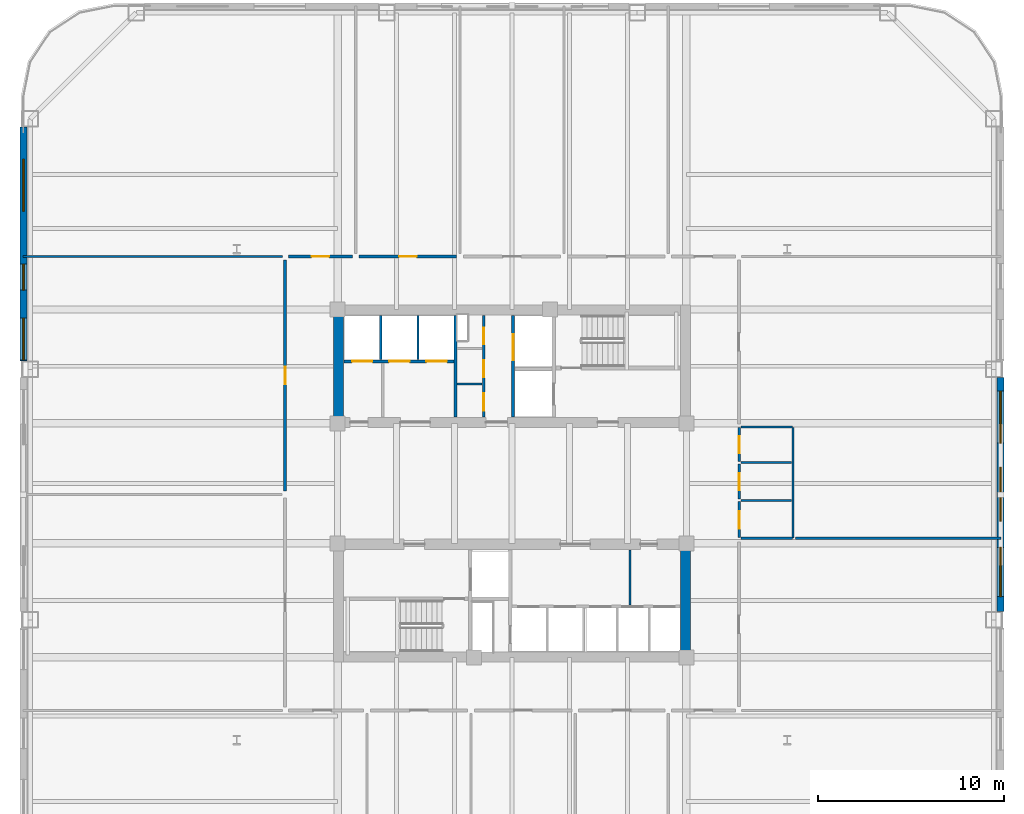
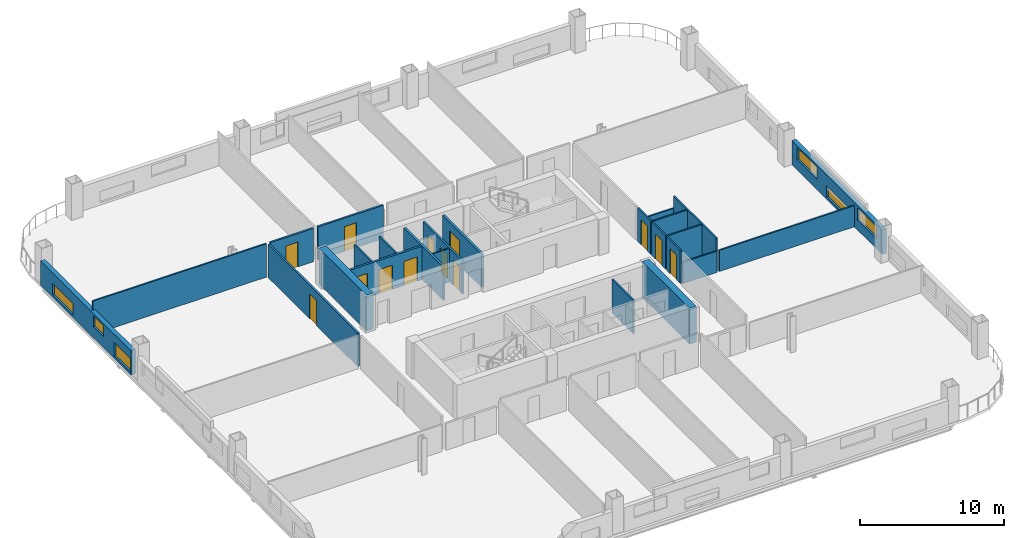
# One storey, part 4 of 12: 25 walls, 13 doors, 6 windows, 19 openings.
"""IFC4 building model written with IfcOpenShell, lengths in metres."""

from ifc_helpers import new_model, si_unit, direction, frame, frame_2d, origin, place, context, subcontext, project, spatial, rectangle, extrude, material, layer, layer_set, type_object, element, fill, save


model = new_model("IFC4")

# Units and contexts
model_context = context("Model", 3, precision=1e-05, world=origin(), true_north=direction((0.0, 1.0)))
body_context = subcontext(model_context, "Body", "Model", "MODEL_VIEW")
ifc_project = project(units=[si_unit("LENGTHUNIT", "METRE"), si_unit("AREAUNIT", "SQUARE_METRE"), si_unit("VOLUMEUNIT", "CUBIC_METRE"), si_unit("PLANEANGLEUNIT", "RADIAN"), si_unit("MASSUNIT", "GRAM", prefix="KILO")], contexts=[model_context])

# Site, building, storey
site_placement = place(None, origin())
site = spatial("IfcSite", under=ifc_project, at=site_placement, CompositionType="ELEMENT")
building_placement = place(site_placement, origin())
building = spatial("IfcBuilding", under=site, at=building_placement, Name="Qhalaya Broadcast Tower", CompositionType="ELEMENT")
storey_placement = place(building_placement, frame((0.0, 0.0, 35.25)))
storey = spatial("IfcBuildingStorey", under=building, at=storey_placement, Name="L09", CompositionType="ELEMENT", Elevation=35.25)

# Wall, openings, doors
ifc_material_1 = material(Name="Gypsum Acoustic Partition")
ifc_layer_1 = layer(ifc_material_1, 0.14990234375, Name="Gypsum Acoustic Partition")
ifc_layer_set_1 = layer_set([ifc_layer_1], Name="Gypsum Acoustic Partition")
wall_type_1 = type_object("IfcWallType", Name="Corridor & Tenancy Acoustic Partition 150", PredefinedType="PARTITIONING", material=ifc_layer_set_1)
wall_1_placement = place(storey_placement, frame((-1.52001953125, 4.169921875, 0.0), z_axis=(0.0, 0.0, 1.0), x_axis=(0.0, 1.0, 0.0)))
wall_1 = element("IfcWall", 1, at=wall_1_placement, inside=storey, type_object=wall_type_1, Name="L09 Partition Wall NCW-SVL", PredefinedType="PARTITIONING", context=body_context, shape_type="SweptSolid", body=[
    extrude(rectangle(XDim=5.4599609375, YDim=0.14990234375, at=frame_2d((2.72998046875, 0.0))), origin(), (0.0, 0.0, 1.0), 2.830078125),
])
opening_1_placement = place(wall_1_placement, frame((3.89990234375, 0.0, 0.0)))
opening_1 = element("IfcOpeningElement", 2, at=opening_1_placement, cuts=wall_1, Name="Opening D06", PredefinedType="OPENING", context=body_context, shape_type="SweptSolid", body=[
    extrude(rectangle(XDim=0.89990234375, YDim=2.050048828125, at=frame_2d((0.449951171875, 1.02490234375))), frame((0.0, 0.0869140625, 0.0), z_axis=(0.0, -1.0, 0.0), x_axis=(1.0, 0.0, 0.0)), (0.0, 0.0, 1.0), 0.173828125),
])
opening_2_placement = place(wall_1_placement, frame((2.14990234375, 0.0, 0.0)))
opening_2 = element("IfcOpeningElement", 3, at=opening_2_placement, cuts=wall_1, Name="Opening D06", PredefinedType="OPENING", context=body_context, shape_type="SweptSolid", body=[
    extrude(rectangle(XDim=0.89990234375, YDim=2.050048828125, at=frame_2d((0.449951171875, 1.02490234375))), frame((0.0, 0.0869140625, 0.0), z_axis=(0.0, -1.0, 0.0), x_axis=(1.0, 0.0, 0.0)), (0.0, 0.0, 1.0), 0.173828125),
])
opening_3_placement = place(wall_1_placement, frame((0.35009765625, 0.0, 0.0)))
opening_3 = element("IfcOpeningElement", 4, at=opening_3_placement, cuts=wall_1, Name="Opening D12", PredefinedType="OPENING", context=body_context, shape_type="SweptSolid", body=[
    extrude(rectangle(XDim=0.919921875, YDim=2.10009765625, at=frame_2d((0.4599609375, 1.050048828125))), frame((0.0, 0.0869140625, 0.0), z_axis=(0.0, -1.0, 0.0), x_axis=(1.0, 0.0, 0.0)), (0.0, 0.0, 1.0), 0.173828125),
])
ifc_material_2 = material(Name="Timber Veneer Acoustic Door", Category="wood")
door_type_1 = type_object("IfcDoorType", Name="Accessible WC & Restroom Door D12", OperationType="NOTDEFINED", PredefinedType="DOOR", material=ifc_material_2)
door_1_placement = place(opening_3_placement, origin())
door_1 = element("IfcDoor", 5, at=door_1_placement, inside=storey, type_object=door_type_1, Name="L09 Door D-NCWC", OperationType="SINGLE_SWING_RIGHT", OverallHeight=2.10009765625, OverallWidth=0.919921875, PredefinedType="DOOR", context=body_context, shape_type="SweptSolid", body=[
    extrude(rectangle(XDim=0.919921875, YDim=2.10009765625, at=frame_2d((0.4599609375, 1.050048828125))), frame((0.0, 0.02490234375, 0.0), z_axis=(0.0, -1.0, 0.0), x_axis=(1.0, 0.0, 0.0)), (0.0, 0.0, 1.0), 0.050048828125),
])
fill(opening_3, door_1)
ifc_material_3 = material(Name="Fire-Rated Steel Door", Category="steel")
door_type_2 = type_object("IfcDoorType", Name="Riser & Electrical Shaft Access Door D06", OperationType="NOTDEFINED", PredefinedType="DOOR", material=ifc_material_3)
door_2_placement = place(opening_1_placement, origin())
door_2 = element("IfcDoor", 6, at=door_2_placement, inside=storey, type_object=door_type_2, Name="L09 Riser Shaft Access Door D-NRSR", OperationType="SINGLE_SWING_RIGHT", OverallHeight=2.050048828125, OverallWidth=0.89990234375, PredefinedType="DOOR", context=body_context, shape_type="SweptSolid", body=[
    extrude(rectangle(XDim=0.89990234375, YDim=2.050048828125, at=frame_2d((0.449951171875, 1.02490234375))), frame((0.0, 0.02490234375, 0.0), z_axis=(0.0, -1.0, 0.0), x_axis=(1.0, 0.0, 0.0)), (0.0, 0.0, 1.0), 0.050048828125),
])
fill(opening_1, door_2)
door_3_placement = place(opening_2_placement, origin())
door_3 = element("IfcDoor", 7, at=door_3_placement, inside=storey, type_object=door_type_2, Name="L09 Door D-NITR", OperationType="SINGLE_SWING_LEFT", OverallHeight=2.050048828125, OverallWidth=0.89990234375, PredefinedType="DOOR", context=body_context, shape_type="SweptSolid", body=[
    extrude(rectangle(XDim=0.89990234375, YDim=2.050048828125, at=frame_2d((0.449951171875, 1.02490234375))), frame((0.0, 0.02490234375, 0.0), z_axis=(0.0, -1.0, 0.0), x_axis=(1.0, 0.0, 0.0)), (0.0, 0.0, 1.0), 0.050048828125),
])
fill(opening_2, door_3)

# Wall, opening, door
wall_2_placement = place(storey_placement, frame((-12.02001953125, 12.800048828125, 0.0), z_axis=(0.0, 0.0, 1.0), x_axis=(1.0, 0.0, 0.0)))
wall_2 = element("IfcWall", 8, at=wall_2_placement, inside=storey, type_object=wall_type_1, Name="L09 Partition Wall W-COR-01", PredefinedType="PARTITIONING", context=body_context, shape_type="SweptSolid", body=[
    extrude(rectangle(XDim=3.43994140625, YDim=0.14990234375, at=frame_2d((1.719970703125, 0.0))), origin(), (0.0, 0.0, 1.0), 2.830078125),
])
opening_4_placement = place(wall_2_placement, frame((1.2451171875, 0.0, 0.0)))
opening_4 = element("IfcOpeningElement", 9, at=opening_4_placement, cuts=wall_2, Name="Opening D10", PredefinedType="OPENING", context=body_context, shape_type="SweptSolid", body=[
    extrude(rectangle(XDim=0.949951171875, YDim=2.10009765625, at=frame_2d((0.47509765625, 1.050048828125))), frame((0.0, 0.0869140625, 0.0), z_axis=(0.0, -1.0, 0.0), x_axis=(1.0, 0.0, 0.0)), (0.0, 0.0, 1.0), 0.173828125),
])
door_type_3 = type_object("IfcDoorType", Name="Cellular Office & Edit Booth Door D10", OperationType="NOTDEFINED", PredefinedType="DOOR", material=ifc_material_2)
door_4_placement = place(opening_4_placement, origin())
door_4 = element("IfcDoor", 10, at=door_4_placement, inside=storey, type_object=door_type_3, Name="L09 Door D-RM01", OperationType="SINGLE_SWING_LEFT", OverallHeight=2.10009765625, OverallWidth=0.949951171875, PredefinedType="DOOR", context=body_context, shape_type="SweptSolid", body=[
    extrude(rectangle(XDim=0.949951171875, YDim=2.10009765625, at=frame_2d((0.47509765625, 1.050048828125))), frame((0.0, 0.02490234375, 0.0), z_axis=(0.0, -1.0, 0.0), x_axis=(1.0, 0.0, 0.0)), (0.0, 0.0, 1.0), 0.050048828125),
])
fill(opening_4, door_4)

wall_3_placement = place(storey_placement, frame((-8.219970703125, 12.800048828125, 0.0), z_axis=(0.0, 0.0, 1.0), x_axis=(1.0, 0.0, 0.0)))
wall_3 = element("IfcWall", 11, at=wall_3_placement, inside=storey, type_object=wall_type_1, Name="L09 Partition Wall W-COR-02", PredefinedType="PARTITIONING", context=body_context, shape_type="SweptSolid", body=[
    extrude(rectangle(XDim=5.239990234375, YDim=0.14990234375, at=frame_2d((2.6201171875, 0.0))), origin(), (0.0, 0.0, 1.0), 2.830078125),
])
opening_5_placement = place(wall_3_placement, frame((2.14501953125, 0.0, 0.0)))
opening_5 = element("IfcOpeningElement", 12, at=opening_5_placement, cuts=wall_3, Name="Opening D10", PredefinedType="OPENING", context=body_context, shape_type="SweptSolid", body=[
    extrude(rectangle(XDim=0.949951171875, YDim=2.10009765625, at=frame_2d((0.47509765625, 1.050048828125))), frame((0.0, 0.0869140625, 0.0), z_axis=(0.0, -1.0, 0.0), x_axis=(1.0, 0.0, 0.0)), (0.0, 0.0, 1.0), 0.173828125),
])
door_5_placement = place(opening_5_placement, origin())
door_5 = element("IfcDoor", 13, at=door_5_placement, inside=storey, type_object=door_type_3, Name="L09 Door D-RM02", OperationType="SINGLE_SWING_RIGHT", OverallHeight=2.10009765625, OverallWidth=0.949951171875, PredefinedType="DOOR", context=body_context, shape_type="SweptSolid", body=[
    extrude(rectangle(XDim=0.949951171875, YDim=2.10009765625, at=frame_2d((0.47509765625, 1.050048828125))), frame((0.0, 0.02490234375, 0.0), z_axis=(0.0, -1.0, 0.0), x_axis=(1.0, 0.0, 0.0)), (0.0, 0.0, 1.0), 0.050048828125),
])
fill(opening_5, door_5)

wall_4_placement = place(storey_placement, frame((-12.199951171875, 0.179931640625, 0.0), z_axis=(0.0, 0.0, 1.0), x_axis=(0.0, 1.0, 0.0)))
wall_4 = element("IfcWall", 14, at=wall_4_placement, inside=storey, type_object=wall_type_1, Name="L09 Partition Wall W-COR-12", PredefinedType="PARTITIONING", context=body_context, shape_type="SweptSolid", body=[
    extrude(rectangle(XDim=12.440185546875, YDim=0.14990234375, at=frame_2d((6.22021484375, 0.0))), origin(), (0.0, 0.0, 1.0), 2.830078125),
])
opening_6_placement = place(wall_4_placement, frame((5.7451171875, 0.0, 0.0)))
opening_6 = element("IfcOpeningElement", 15, at=opening_6_placement, cuts=wall_4, Name="Opening D10", PredefinedType="OPENING", context=body_context, shape_type="SweptSolid", body=[
    extrude(rectangle(XDim=0.949951171875, YDim=2.10009765625, at=frame_2d((0.47509765625, 1.050048828125))), frame((0.0, 0.0869140625, 0.0), z_axis=(0.0, -1.0, 0.0), x_axis=(1.0, 0.0, 0.0)), (0.0, 0.0, 1.0), 0.173828125),
])
door_6_placement = place(opening_6_placement, origin())
door_6 = element("IfcDoor", 16, at=door_6_placement, inside=storey, type_object=door_type_3, Name="L09 Door D-RM12", OperationType="SINGLE_SWING_RIGHT", OverallHeight=2.10009765625, OverallWidth=0.949951171875, PredefinedType="DOOR", context=body_context, shape_type="SweptSolid", body=[
    extrude(rectangle(XDim=0.949951171875, YDim=2.10009765625, at=frame_2d((0.47509765625, 1.050048828125))), frame((0.0, 0.02490234375, 0.0), z_axis=(0.0, -1.0, 0.0), x_axis=(1.0, 0.0, 0.0)), (0.0, 0.0, 1.0), 0.050048828125),
])
fill(opening_6, door_6)

# Wall, openings, windows
ifc_material_4 = material(Name="Precast Concrete C40/50", Category="concrete")
ifc_layer_2 = layer(ifc_material_4, 0.360107421875, Name="Precast Concrete C40/50")
ifc_layer_set_2 = layer_set([ifc_layer_2], Name="Precast Concrete C40/50")
wall_type_2 = type_object("IfcWallType", Name="Insulated Precast Terracotta Exterior Wall 360", PredefinedType="SOLIDWALL", material=ifc_layer_set_2)
wall_5_placement = place(storey_placement, frame((26.260009765625, 6.283203125, 0.0), z_axis=(0.0, 0.0, 1.0), x_axis=(0.0, -1.0, 0.0)))
wall_5 = element("IfcWall", 17, at=wall_5_placement, inside=storey, type_object=wall_type_2, Name="L09 Exoskeleton Diagrid Infill Wall E2", PredefinedType="SOLIDWALL", context=body_context, shape_type="SweptSolid", body=[
    extrude(rectangle(XDim=12.56640625, YDim=0.360107421875, at=frame_2d((6.283203125, 0.0))), origin(), (0.0, 0.0, 1.0), 2.06689453125),
])
opening_7_placement = place(wall_5_placement, frame((0.720947265625, 0.0, 0.89990234375)))
opening_7 = element("IfcOpeningElement", 18, at=opening_7_placement, cuts=wall_5, Name="Opening W11", PredefinedType="OPENING", context=body_context, shape_type="SweptSolid", body=[
    extrude(rectangle(XDim=2.800048828125, YDim=1.0, at=frame_2d((1.39990234375, 0.5))), frame((0.0, 0.192138671875, 0.0), z_axis=(0.0, -1.0, 0.0), x_axis=(1.0, 0.0, 0.0)), (0.0, 0.0, 1.0), 0.384033203125),
])
opening_8_placement = place(wall_5_placement, frame((4.821044921875, 0.0, 0.199951171875)))
opening_8 = element("IfcOpeningElement", 19, at=opening_8_placement, cuts=wall_5, Name="Opening W11", PredefinedType="OPENING", context=body_context, shape_type="SweptSolid", body=[
    extrude(rectangle(XDim=2.89990234375, YDim=0.949951171875, at=frame_2d((1.449951171875, 0.47509765625))), frame((0.0, 0.192138671875, 0.0), z_axis=(0.0, -1.0, 0.0), x_axis=(1.0, 0.0, 0.0)), (0.0, 0.0, 1.0), 0.384033203125),
])
opening_9_placement = place(wall_5_placement, frame((9.12109375, 0.0, 0.85009765625)))
opening_9 = element("IfcOpeningElement", 20, at=opening_9_placement, cuts=wall_5, Name="Opening W11", PredefinedType="OPENING", context=body_context, shape_type="SweptSolid", body=[
    extrude(rectangle(XDim=2.64990234375, YDim=1.050048828125, at=frame_2d((1.324951171875, 0.52490234375))), frame((0.0, 0.192138671875, 0.0), z_axis=(0.0, -1.0, 0.0), x_axis=(1.0, 0.0, 0.0)), (0.0, 0.0, 1.0), 0.384033203125),
])
ifc_material_5 = material(Name="Solar-Control Low-E Triple Glazing", Category="glass")
window_type = type_object("IfcWindowType", Name="Odd-Block Diagrid Infill Window W11", PartitioningType="SINGLE_PANEL", PredefinedType="WINDOW", material=ifc_material_5)
window_1_placement = place(opening_7_placement, origin())
window_1 = element("IfcWindow", 21, at=window_1_placement, inside=storey, type_object=window_type, Name="L09 Diagrid Infill Window W11-E4", OverallHeight=1.0, OverallWidth=2.800048828125, PartitioningType="SINGLE_PANEL", PredefinedType="WINDOW", context=body_context, shape_type="SweptSolid", body=[
    extrude(rectangle(XDim=2.800048828125, YDim=1.0, at=frame_2d((1.39990234375, 0.5))), frame((0.0, 0.030029296875, 0.0), z_axis=(0.0, -1.0, 0.0), x_axis=(1.0, 0.0, 0.0)), (0.0, 0.0, 1.0), 0.06005859375),
])
fill(opening_7, window_1)
window_2_placement = place(opening_8_placement, origin())
window_2 = element("IfcWindow", 22, at=window_2_placement, inside=storey, type_object=window_type, Name="L09 Diagrid Infill Window W11-E5", OverallHeight=0.949951171875, OverallWidth=2.89990234375, PartitioningType="SINGLE_PANEL", PredefinedType="WINDOW", context=body_context, shape_type="SweptSolid", body=[
    extrude(rectangle(XDim=2.89990234375, YDim=0.949951171875, at=frame_2d((1.449951171875, 0.47509765625))), frame((0.0, 0.030029296875, 0.0), z_axis=(0.0, -1.0, 0.0), x_axis=(1.0, 0.0, 0.0)), (0.0, 0.0, 1.0), 0.06005859375),
])
fill(opening_8, window_2)
window_3_placement = place(opening_9_placement, origin())
window_3 = element("IfcWindow", 23, at=window_3_placement, inside=storey, type_object=window_type, Name="L09 Diagrid Infill Window W11-E6", OverallHeight=1.050048828125, OverallWidth=2.64990234375, PartitioningType="SINGLE_PANEL", PredefinedType="WINDOW", context=body_context, shape_type="SweptSolid", body=[
    extrude(rectangle(XDim=2.64990234375, YDim=1.050048828125, at=frame_2d((1.324951171875, 0.52490234375))), frame((0.0, 0.030029296875, 0.0), z_axis=(0.0, -1.0, 0.0), x_axis=(1.0, 0.0, 0.0)), (0.0, 0.0, 1.0), 0.06005859375),
])
fill(opening_9, window_3)

wall_6_placement = place(storey_placement, frame((-26.260009765625, 7.183349609375, 0.0), z_axis=(0.0, 0.0, 1.0), x_axis=(0.0, 1.0, 0.0)))
wall_6 = element("IfcWall", 24, at=wall_6_placement, inside=storey, type_object=wall_type_2, Name="L09 Exoskeleton Diagrid Infill Wall W3", PredefinedType="SOLIDWALL", context=body_context, shape_type="SweptSolid", body=[
    extrude(rectangle(XDim=12.57861328125, YDim=0.360107421875, at=frame_2d((6.289306640625, 0.0))), origin(), (0.0, 0.0, 1.0), 2.06689453125),
])
opening_10_placement = place(wall_6_placement, frame((0.054931640625, 0.0, 0.199951171875)))
opening_10 = element("IfcOpeningElement", 25, at=opening_10_placement, cuts=wall_6, Name="Opening W11", PredefinedType="OPENING", context=body_context, shape_type="SweptSolid", body=[
    extrude(rectangle(XDim=2.25, YDim=1.14990234375, at=frame_2d((1.125, 0.574951171875))), frame((0.0, 0.192138671875, 0.0), z_axis=(0.0, -1.0, 0.0), x_axis=(1.0, 0.0, 0.0)), (0.0, 0.0, 1.0), 0.384033203125),
])
opening_11_placement = place(wall_6_placement, frame((3.804931640625, 0.0, 0.949951171875)))
opening_11 = element("IfcOpeningElement", 26, at=opening_11_placement, cuts=wall_6, Name="Opening W11", PredefinedType="OPENING", context=body_context, shape_type="SweptSolid", body=[
    extrude(rectangle(XDim=1.39990234375, YDim=0.949951171875, at=frame_2d((0.699951171875, 0.47509765625))), frame((0.0, 0.192138671875, 0.0), z_axis=(0.0, -1.0, 0.0), x_axis=(1.0, 0.0, 0.0)), (0.0, 0.0, 1.0), 0.384033203125),
])
opening_12_placement = place(wall_6_placement, frame((8.054931640625, 0.0, 0.199951171875)))
opening_12 = element("IfcOpeningElement", 27, at=opening_12_placement, cuts=wall_6, Name="Opening W11", PredefinedType="OPENING", context=body_context, shape_type="SweptSolid", body=[
    extrude(rectangle(XDim=2.800048828125, YDim=1.0, at=frame_2d((1.39990234375, 0.5))), frame((0.0, 0.192138671875, 0.0), z_axis=(0.0, -1.0, 0.0), x_axis=(1.0, 0.0, 0.0)), (0.0, 0.0, 1.0), 0.384033203125),
])
window_4_placement = place(opening_10_placement, origin())
window_4 = element("IfcWindow", 28, at=window_4_placement, inside=storey, type_object=window_type, Name="L09 Diagrid Infill Window W11-W6", OverallHeight=1.14990234375, OverallWidth=2.25, PartitioningType="SINGLE_PANEL", PredefinedType="WINDOW", context=body_context, shape_type="SweptSolid", body=[
    extrude(rectangle(XDim=2.25, YDim=1.14990234375, at=frame_2d((1.125, 0.574951171875))), frame((0.0, 0.030029296875, 0.0), z_axis=(0.0, -1.0, 0.0), x_axis=(1.0, 0.0, 0.0)), (0.0, 0.0, 1.0), 0.06005859375),
])
fill(opening_10, window_4)
window_5_placement = place(opening_11_placement, origin())
window_5 = element("IfcWindow", 29, at=window_5_placement, inside=storey, type_object=window_type, Name="L09 Diagrid Infill Window W11-W7", OverallHeight=0.949951171875, OverallWidth=1.39990234375, PartitioningType="SINGLE_PANEL", PredefinedType="WINDOW", context=body_context, shape_type="SweptSolid", body=[
    extrude(rectangle(XDim=1.39990234375, YDim=0.949951171875, at=frame_2d((0.699951171875, 0.47509765625))), frame((0.0, 0.030029296875, 0.0), z_axis=(0.0, -1.0, 0.0), x_axis=(1.0, 0.0, 0.0)), (0.0, 0.0, 1.0), 0.06005859375),
])
fill(opening_11, window_5)
window_6_placement = place(opening_12_placement, origin())
window_6 = element("IfcWindow", 30, at=window_6_placement, inside=storey, type_object=window_type, Name="L09 Diagrid Infill Window W11-W8", OverallHeight=1.0, OverallWidth=2.800048828125, PartitioningType="SINGLE_PANEL", PredefinedType="WINDOW", context=body_context, shape_type="SweptSolid", body=[
    extrude(rectangle(XDim=2.800048828125, YDim=1.0, at=frame_2d((1.39990234375, 0.5))), frame((0.0, 0.030029296875, 0.0), z_axis=(0.0, -1.0, 0.0), x_axis=(1.0, 0.0, 0.0)), (0.0, 0.0, 1.0), 0.06005859375),
])
fill(opening_12, window_6)

# Walls
ifc_material_6 = material(Name="Concrete C60/75", Category="concrete")
ifc_layer_3 = layer(ifc_material_6, 0.550048828125, Name="Concrete C60/75")
ifc_layer_set_3 = layer_set([ifc_layer_3], Name="Concrete C60/75")
wall_type_3 = type_object("IfcWallType", Name="Lower Split-Core Shear Wall 550", PredefinedType="SHEAR", material=ifc_layer_set_3)
wall_7_placement = place(storey_placement, frame((-9.324951171875, 3.60009765625, 0.0), z_axis=(0.0, 0.0, 1.0), x_axis=(0.0, 1.0, 0.0)))
element("IfcWall", 31, at=wall_7_placement, inside=storey, type_object=wall_type_3, Name="L09 Split-Core Shear Wall CW-NW", PredefinedType="SHEAR", context=body_context, shape_type="SweptSolid", body=[
    extrude(rectangle(XDim=6.599853515625, YDim=0.550048828125, at=frame_2d((3.2998046875, 0.0))), origin(), (0.0, 0.0, 1.0), 3.050048828125),
])
wall_8_placement = place(storey_placement, frame((9.324951171875, -9.0, 0.0), z_axis=(0.0, 0.0, 1.0), x_axis=(0.0, 1.0, 0.0)))
element("IfcWall", 32, at=wall_8_placement, inside=storey, type_object=wall_type_3, Name="L09 Split-Core Shear Wall CW-SE", PredefinedType="SHEAR", context=body_context, shape_type="SweptSolid", body=[
    extrude(rectangle(XDim=6.60009765625, YDim=0.550048828125, at=frame_2d((3.300048828125, 0.0))), origin(), (0.0, 0.0, 1.0), 3.050048828125),
])
ifc_layer_4 = layer(ifc_material_1, 0.1201171875, Name="Gypsum Acoustic Partition")
ifc_layer_set_4 = layer_set([ifc_layer_4], Name="Gypsum Acoustic Partition")
wall_type_4 = type_object("IfcWallType", Name="Office, Booth & Sanitary Partition 120", PredefinedType="PARTITIONING", material=ifc_layer_set_4)
wall_9_placement = place(storey_placement, frame((-2.9599609375, 5.949951171875, 0.0), z_axis=(0.0, 0.0, 1.0), x_axis=(1.0, 0.0, 0.0)))
element("IfcWall", 33, at=wall_9_placement, inside=storey, type_object=wall_type_4, Name="L09 Partition Wall NCW-VB1", PredefinedType="PARTITIONING", context=body_context, shape_type="SweptSolid", body=[
    extrude(rectangle(XDim=1.35986328125, YDim=0.1201171875, at=frame_2d((0.679931640625, 0.0))), origin(), (0.0, 0.0, 1.0), 2.830078125),
])
for number, where, z_axis, x_axis, name in (
    (34, (-7.06005859375, 7.25, 0.0), (0.0, 0.0, 1.0), (0.0, 1.0, 0.0), "L09 Partition Wall NCW-PD1"),
    (35, (-5.06005859375, 7.25, 0.0), (0.0, 0.0, 1.0), (0.0, 1.0, 0.0), "L09 Partition Wall NCW-PD2"),
):
    element("IfcWall", number, at=place(storey_placement, frame(where, z_axis=z_axis, x_axis=x_axis)), inside=storey, type_object=wall_type_4, Name=name, PredefinedType="PARTITIONING", context=body_context, shape_type="SweptSolid", body=[
        extrude(rectangle(XDim=2.3798828125, YDim=0.1201171875, at=frame_2d((1.18994140625, 0.0))), origin(), (0.0, 0.0, 1.0), 2.830078125),
    ])
wall_10_placement = place(storey_placement, frame((6.35009765625, -5.93994140625, 0.0), z_axis=(0.0, 0.0, 1.0), x_axis=(0.0, 1.0, 0.0)))
element("IfcWall", 36, at=wall_10_placement, inside=storey, type_object=wall_type_4, Name="L09 Partition Wall SCW-LKB", PredefinedType="PARTITIONING", context=body_context, shape_type="SweptSolid", body=[
    extrude(rectangle(XDim=2.969970703125, YDim=0.1201171875, at=frame_2d((1.48486328125, 0.0))), origin(), (0.0, 0.0, 1.0), 2.830078125),
])

# Wall, opening, door
wall_11_placement = place(storey_placement, frame((12.219970703125, -2.320068359375, 0.0), z_axis=(0.0, 0.0, 1.0), x_axis=(0.0, 1.0, 0.0)))
wall_11 = element("IfcWall", 37, at=wall_11_placement, inside=storey, type_object=wall_type_4, Name="L09 Partition Wall W-WCWA", PredefinedType="PARTITIONING", context=body_context, shape_type="SweptSolid", body=[
    extrude(rectangle(XDim=1.940185546875, YDim=0.1201171875, at=frame_2d((0.97021484375, 0.0))), origin(), (0.0, 0.0, 1.0), 2.830078125),
])
opening_13_placement = place(wall_11_placement, frame((0.4951171875, 0.0, 0.0)))
opening_13 = element("IfcOpeningElement", 38, at=opening_13_placement, cuts=wall_11, Name="Opening D12", PredefinedType="OPENING", context=body_context, shape_type="SweptSolid", body=[
    extrude(rectangle(XDim=0.919921875, YDim=2.10009765625, at=frame_2d((0.4599609375, 1.050048828125))), frame((0.0, 0.072021484375, 0.0), z_axis=(0.0, -1.0, 0.0), x_axis=(1.0, 0.0, 0.0)), (0.0, 0.0, 1.0), 0.14404296875),
])
door_7_placement = place(opening_13_placement, origin())
door_7 = element("IfcDoor", 39, at=door_7_placement, inside=storey, type_object=door_type_1, Name="L09 Door D-WCA", OperationType="SINGLE_SWING_LEFT", OverallHeight=2.10009765625, OverallWidth=0.919921875, PredefinedType="DOOR", context=body_context, shape_type="SweptSolid", body=[
    extrude(rectangle(XDim=0.919921875, YDim=2.10009765625, at=frame_2d((0.4599609375, 1.050048828125))), frame((0.0, 0.02490234375, 0.0), z_axis=(0.0, -1.0, 0.0), x_axis=(1.0, 0.0, 0.0)), (0.0, 0.0, 1.0), 0.050048828125),
])
fill(opening_13, door_7)

wall_12_placement = place(storey_placement, frame((12.219970703125, -0.25, 0.0), z_axis=(0.0, 0.0, 1.0), x_axis=(0.0, 1.0, 0.0)))
wall_12 = element("IfcWall", 40, at=wall_12_placement, inside=storey, type_object=wall_type_4, Name="L09 Partition Wall W-WCWM", PredefinedType="PARTITIONING", context=body_context, shape_type="SweptSolid", body=[
    extrude(rectangle(XDim=1.89990234375, YDim=0.1201171875, at=frame_2d((0.949951171875, 0.0))), origin(), (0.0, 0.0, 1.0), 2.830078125),
])
opening_14_placement = place(wall_12_placement, frame((0.47509765625, 0.0, 0.0)))
opening_14 = element("IfcOpeningElement", 41, at=opening_14_placement, cuts=wall_12, Name="Opening D12", PredefinedType="OPENING", context=body_context, shape_type="SweptSolid", body=[
    extrude(rectangle(XDim=0.919921875, YDim=2.10009765625, at=frame_2d((0.4599609375, 1.050048828125))), frame((0.0, 0.072021484375, 0.0), z_axis=(0.0, -1.0, 0.0), x_axis=(1.0, 0.0, 0.0)), (0.0, 0.0, 1.0), 0.14404296875),
])
door_8_placement = place(opening_14_placement, origin())
door_8 = element("IfcDoor", 42, at=door_8_placement, inside=storey, type_object=door_type_1, Name="L09 Door D-WCM", OperationType="SINGLE_SWING_RIGHT", OverallHeight=2.10009765625, OverallWidth=0.919921875, PredefinedType="DOOR", context=body_context, shape_type="SweptSolid", body=[
    extrude(rectangle(XDim=0.919921875, YDim=2.10009765625, at=frame_2d((0.4599609375, 1.050048828125))), frame((0.0, 0.02490234375, 0.0), z_axis=(0.0, -1.0, 0.0), x_axis=(1.0, 0.0, 0.0)), (0.0, 0.0, 1.0), 0.050048828125),
])
fill(opening_14, door_8)

wall_13_placement = place(storey_placement, frame((12.219970703125, 1.780029296875, 0.0), z_axis=(0.0, 0.0, 1.0), x_axis=(0.0, 1.0, 0.0)))
wall_13 = element("IfcWall", 43, at=wall_13_placement, inside=storey, type_object=wall_type_4, Name="L09 Partition Wall W-WCWF", PredefinedType="PARTITIONING", context=body_context, shape_type="SweptSolid", body=[
    extrude(rectangle(XDim=1.830078125, YDim=0.1201171875, at=frame_2d((0.9150390625, 0.0))), origin(), (0.0, 0.0, 1.0), 2.830078125),
])
opening_15_placement = place(wall_13_placement, frame((0.43994140625, 0.0, 0.0)))
opening_15 = element("IfcOpeningElement", 44, at=opening_15_placement, cuts=wall_13, Name="Opening D12", PredefinedType="OPENING", context=body_context, shape_type="SweptSolid", body=[
    extrude(rectangle(XDim=0.919921875, YDim=2.10009765625, at=frame_2d((0.4599609375, 1.050048828125))), frame((0.0, 0.072021484375, 0.0), z_axis=(0.0, -1.0, 0.0), x_axis=(1.0, 0.0, 0.0)), (0.0, 0.0, 1.0), 0.14404296875),
])
door_9_placement = place(opening_15_placement, origin())
door_9 = element("IfcDoor", 45, at=door_9_placement, inside=storey, type_object=door_type_1, Name="L09 Door D-WCF", OperationType="SINGLE_SWING_LEFT", OverallHeight=2.10009765625, OverallWidth=0.919921875, PredefinedType="DOOR", context=body_context, shape_type="SweptSolid", body=[
    extrude(rectangle(XDim=0.919921875, YDim=2.10009765625, at=frame_2d((0.4599609375, 1.050048828125))), frame((0.0, 0.02490234375, 0.0), z_axis=(0.0, -1.0, 0.0), x_axis=(1.0, 0.0, 0.0)), (0.0, 0.0, 1.0), 0.050048828125),
])
fill(opening_15, door_9)

# Walls
wall_14_placement = place(storey_placement, frame((15.10009765625, -2.320068359375, 0.0), z_axis=(0.0, 0.0, 1.0), x_axis=(0.0, 1.0, 0.0)))
element("IfcWall", 46, at=wall_14_placement, inside=storey, type_object=wall_type_4, Name="L09 Partition Wall W-WCE", PredefinedType="PARTITIONING", context=body_context, shape_type="SweptSolid", body=[
    extrude(rectangle(XDim=5.93017578125, YDim=0.1201171875, at=frame_2d((2.965087890625, 0.0))), origin(), (0.0, 0.0, 1.0), 2.830078125),
])
for number, where, z_axis, x_axis, name in (
    (47, (12.31005859375, -2.35009765625, 0.0), (0.0, 0.0, 1.0), (1.0, 0.0, 0.0), "L09 Partition Wall W-WCS"),
    (48, (12.31005859375, 3.639892578125, 0.0), (0.0, 0.0, 1.0), (1.0, 0.0, 0.0), "L09 Partition Wall W-WCN"),
):
    element("IfcWall", number, at=place(storey_placement, frame(where, z_axis=z_axis, x_axis=x_axis)), inside=storey, type_object=wall_type_4, Name=name, PredefinedType="PARTITIONING", context=body_context, shape_type="SweptSolid", body=[
        extrude(rectangle(XDim=2.760009765625, YDim=0.1201171875, at=frame_2d((1.3798828125, 0.0))), origin(), (0.0, 0.0, 1.0), 1.799072265625),
    ])
for number, where, z_axis, x_axis, name in (
    (49, (12.31005859375, -0.320068359375, 0.0), (0.0, 0.0, 1.0), (1.0, 0.0, 0.0), "L09 Partition Wall W-WCD1"),
    (50, (12.31005859375, 1.719970703125, 0.0), (0.0, 0.0, 1.0), (1.0, 0.0, 0.0), "L09 Partition Wall W-WCD2"),
):
    element("IfcWall", number, at=place(storey_placement, frame(where, z_axis=z_axis, x_axis=x_axis)), inside=storey, type_object=wall_type_4, Name=name, PredefinedType="PARTITIONING", context=body_context, shape_type="SweptSolid", body=[
        extrude(rectangle(XDim=2.719970703125, YDim=0.1201171875, at=frame_2d((1.35986328125, 0.0))), origin(), (0.0, 0.0, 1.0), 2.830078125),
    ])
wall_15_placement = place(storey_placement, frame((-26.280029296875, 12.800048828125, 0.0), z_axis=(0.0, 0.0, 1.0), x_axis=(1.0, 0.0, 0.0)))
element("IfcWall", 51, at=wall_15_placement, inside=storey, type_object=wall_type_4, Name="L09 Partition Wall W-BNDW1", PredefinedType="PARTITIONING", context=body_context, shape_type="SweptSolid", body=[
    extrude(rectangle(XDim=13.93994140625, YDim=0.1201171875, at=frame_2d((6.969970703125, 0.0))), origin(), (0.0, 0.0, 1.0), 2.830078125),
])
wall_16_placement = place(storey_placement, frame((15.239990234375, -2.35009765625, 0.0), z_axis=(0.0, 0.0, 1.0), x_axis=(1.0, 0.0, 0.0)))
element("IfcWall", 52, at=wall_16_placement, inside=storey, type_object=wall_type_4, Name="L09 Partition Wall W-DIVE-WC", PredefinedType="PARTITIONING", context=body_context, shape_type="SweptSolid", body=[
    extrude(rectangle(XDim=11.0400390625, YDim=0.1201171875, at=frame_2d((5.52001953125, 0.0))), origin(), (0.0, 0.0, 1.0), 1.799072265625),
])

# Wall, opening, door
ifc_layer_5 = layer(ifc_material_1, 0.175048828125, Name="Gypsum Acoustic Partition")
ifc_layer_set_5 = layer_set([ifc_layer_5], Name="Gypsum Acoustic Partition")
wall_type_5 = type_object("IfcWallType", Name="Shaft & Riser Fire Partition 175", PredefinedType="PARTITIONING", material=ifc_layer_set_5)
wall_17_placement = place(storey_placement, frame((0.06005859375, 4.169921875, 0.0), z_axis=(0.0, 0.0, 1.0), x_axis=(0.0, 1.0, 0.0)))
wall_17 = element("IfcWall", 53, at=wall_17_placement, inside=storey, type_object=wall_type_5, Name="L09 Partition Wall NCW-SVW", PredefinedType="PARTITIONING", context=body_context, shape_type="SweptSolid", body=[
    extrude(rectangle(XDim=5.4599609375, YDim=0.175048828125, at=frame_2d((2.72998046875, 0.0))), origin(), (0.0, 0.0, 1.0), 2.830078125),
])
opening_16_placement = place(wall_17_placement, frame((3.050048828125, 0.0, 0.0)))
opening_16 = element("IfcOpeningElement", 54, at=opening_16_placement, cuts=wall_17, Name="Opening LD3", PredefinedType="OPENING", context=body_context, shape_type="SweptSolid", body=[
    extrude(rectangle(XDim=1.39990234375, YDim=2.1201171875, at=frame_2d((0.699951171875, 1.06005859375))), frame((0.0, 0.099609375, 0.0), z_axis=(0.0, -1.0, 0.0), x_axis=(1.0, 0.0, 0.0)), (0.0, 0.0, 1.0), 0.198974609375),
])
ifc_material_7 = material(Name="Brushed Stainless Steel Lift Door", Category="steel")
door_type_4 = type_object("IfcDoorType", Name="Service Lift Wide Sliding Landing Door LD3", OperationType="DOUBLE_DOOR_SLIDING", PredefinedType="DOOR", material=ifc_material_7)
door_10_placement = place(opening_16_placement, origin())
door_10 = element("IfcDoor", 55, at=door_10_placement, inside=storey, type_object=door_type_4, Name="L09 Door LD-SV1", OperationType="DOUBLE_DOOR_SLIDING", OverallHeight=2.1201171875, OverallWidth=1.39990234375, PredefinedType="DOOR", context=body_context, shape_type="SweptSolid", body=[
    extrude(rectangle(XDim=1.39990234375, YDim=2.1201171875, at=frame_2d((0.699951171875, 1.06005859375))), frame((0.0, 0.02490234375, 0.0), z_axis=(0.0, -1.0, 0.0), x_axis=(1.0, 0.0, 0.0)), (0.0, 0.0, 1.0), 0.050048828125),
])
fill(opening_16, door_10)

# Wall
wall_18_placement = place(storey_placement, frame((-3.0400390625, 4.169921875, 0.0), z_axis=(0.0, 0.0, 1.0), x_axis=(0.0, 1.0, 0.0)))
element("IfcWall", 56, at=wall_18_placement, inside=storey, type_object=wall_type_5, Name="L09 Partition Wall NCW-VRW", PredefinedType="PARTITIONING", context=body_context, shape_type="SweptSolid", body=[
    extrude(rectangle(XDim=5.4599609375, YDim=0.175048828125, at=frame_2d((2.72998046875, 0.0))), origin(), (0.0, 0.0, 1.0), 2.830078125),
])

# Wall, openings, doors
wall_19_placement = place(storey_placement, frame((-9.030029296875, 7.159912109375, 0.0), z_axis=(0.0, 0.0, 1.0), x_axis=(1.0, 0.0, 0.0)))
wall_19 = element("IfcWall", 57, at=wall_19_placement, inside=storey, type_object=wall_type_5, Name="L09 Partition Wall NCW-PLB", PredefinedType="PARTITIONING", context=body_context, shape_type="SweptSolid", body=[
    extrude(rectangle(XDim=5.909912109375, YDim=0.175048828125, at=frame_2d((2.955078125, 0.0))), origin(), (0.0, 0.0, 1.0), 2.830078125),
])
opening_17_placement = place(wall_19_placement, frame((0.429931640625, 0.0, 0.0)))
opening_17 = element("IfcOpeningElement", 58, at=opening_17_placement, cuts=wall_19, Name="Opening LD1", PredefinedType="OPENING", context=body_context, shape_type="SweptSolid", body=[
    extrude(rectangle(XDim=1.10009765625, YDim=2.06005859375, at=frame_2d((0.550048828125, 1.030029296875))), frame((0.0, 0.099609375, 0.0), z_axis=(0.0, -1.0, 0.0), x_axis=(1.0, 0.0, 0.0)), (0.0, 0.0, 1.0), 0.198974609375),
])
opening_18_placement = place(wall_19_placement, frame((2.429931640625, 0.0, 0.0)))
opening_18 = element("IfcOpeningElement", 59, at=opening_18_placement, cuts=wall_19, Name="Opening LD1", PredefinedType="OPENING", context=body_context, shape_type="SweptSolid", body=[
    extrude(rectangle(XDim=1.10009765625, YDim=2.06005859375, at=frame_2d((0.550048828125, 1.030029296875))), frame((0.0, 0.099609375, 0.0), z_axis=(0.0, -1.0, 0.0), x_axis=(1.0, 0.0, 0.0)), (0.0, 0.0, 1.0), 0.198974609375),
])
opening_19_placement = place(wall_19_placement, frame((4.429931640625, 0.0, 0.0)))
opening_19 = element("IfcOpeningElement", 60, at=opening_19_placement, cuts=wall_19, Name="Opening LD1", PredefinedType="OPENING", context=body_context, shape_type="SweptSolid", body=[
    extrude(rectangle(XDim=1.10009765625, YDim=2.06005859375, at=frame_2d((0.550048828125, 1.030029296875))), frame((0.0, 0.099609375, 0.0), z_axis=(0.0, -1.0, 0.0), x_axis=(1.0, 0.0, 0.0)), (0.0, 0.0, 1.0), 0.198974609375),
])
door_type_5 = type_object("IfcDoorType", Name="Passenger Lift Sliding Landing Door LD1", OperationType="DOUBLE_DOOR_SLIDING", PredefinedType="DOOR", material=ifc_material_7)
door_11_placement = place(opening_17_placement, origin())
door_11 = element("IfcDoor", 61, at=door_11_placement, inside=storey, type_object=door_type_5, Name="L09 Door LD-P1", OperationType="DOUBLE_DOOR_SLIDING", OverallHeight=2.06005859375, OverallWidth=1.10009765625, PredefinedType="DOOR", context=body_context, shape_type="SweptSolid", body=[
    extrude(rectangle(XDim=1.10009765625, YDim=2.06005859375, at=frame_2d((0.550048828125, 1.030029296875))), frame((0.0, 0.02490234375, 0.0), z_axis=(0.0, -1.0, 0.0), x_axis=(1.0, 0.0, 0.0)), (0.0, 0.0, 1.0), 0.050048828125),
])
fill(opening_17, door_11)
door_12_placement = place(opening_18_placement, origin())
door_12 = element("IfcDoor", 62, at=door_12_placement, inside=storey, type_object=door_type_5, Name="L09 Door LD-P2", OperationType="DOUBLE_DOOR_SLIDING", OverallHeight=2.06005859375, OverallWidth=1.10009765625, PredefinedType="DOOR", context=body_context, shape_type="SweptSolid", body=[
    extrude(rectangle(XDim=1.10009765625, YDim=2.06005859375, at=frame_2d((0.550048828125, 1.030029296875))), frame((0.0, 0.02490234375, 0.0), z_axis=(0.0, -1.0, 0.0), x_axis=(1.0, 0.0, 0.0)), (0.0, 0.0, 1.0), 0.050048828125),
])
fill(opening_18, door_12)
door_13_placement = place(opening_19_placement, origin())
door_13 = element("IfcDoor", 63, at=door_13_placement, inside=storey, type_object=door_type_5, Name="L09 Door LD-P3", OperationType="DOUBLE_DOOR_SLIDING", OverallHeight=2.06005859375, OverallWidth=1.10009765625, PredefinedType="DOOR", context=body_context, shape_type="SweptSolid", body=[
    extrude(rectangle(XDim=1.10009765625, YDim=2.06005859375, at=frame_2d((0.550048828125, 1.030029296875))), frame((0.0, 0.02490234375, 0.0), z_axis=(0.0, -1.0, 0.0), x_axis=(1.0, 0.0, 0.0)), (0.0, 0.0, 1.0), 0.050048828125),
])
fill(opening_19, door_13)

save(model, "model.ifc")
